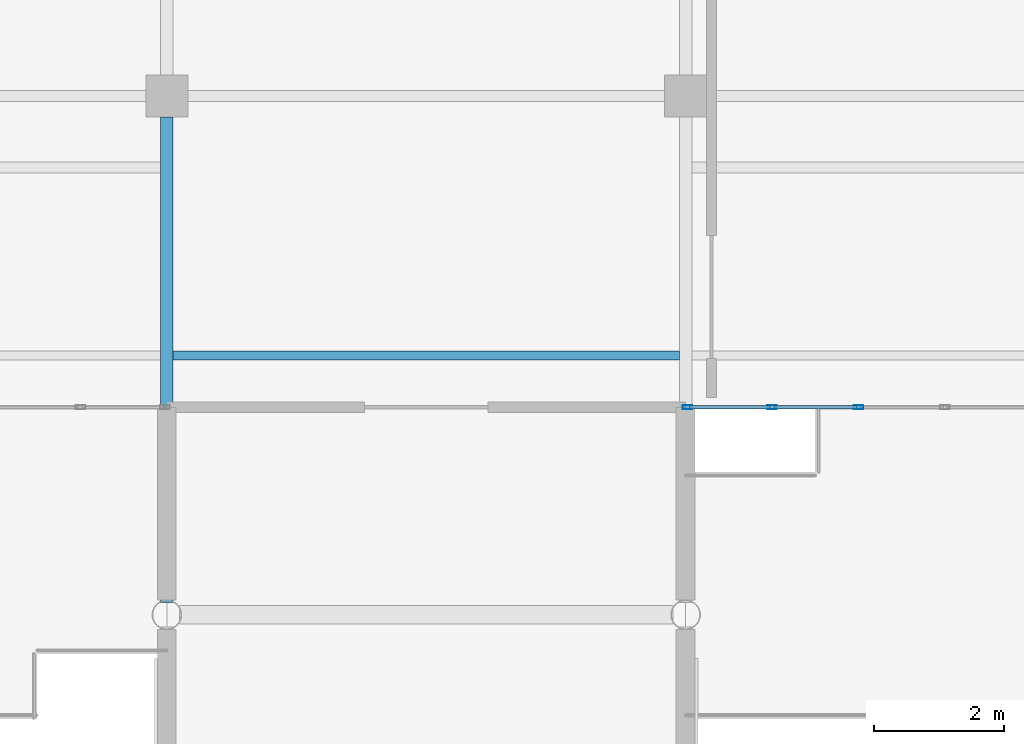
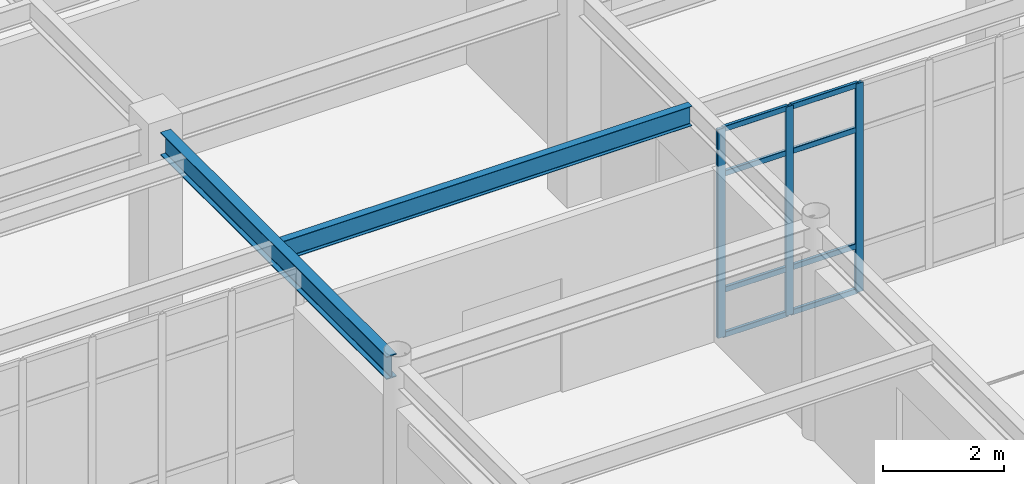
# One storey, part 42 of 75: 11 members, 2 beams, 1 element without a shape of its own.
"""IFC4 building model written with IfcOpenShell, lengths in metres."""

import ifcopenshell
import ifcopenshell.guid

model = None  # the IFC model being written
_history = None  # IfcOwnerHistory: only IFC2X3 demands one
_inside = {}  # id of a spatial element -> (the spatial element, [elements in it])
_under = {}  # id of a project, library or spatial element -> (it, [spatial elements below it])
_declared = {}  # id of a project -> (the project, [libraries it declares])
_typed = {}  # id of a type object -> (the type object, [elements of that type])
_made_of = {}  # id of a material, layer set ... -> (it, [elements and type objects made of it])


def new_model(schema):
    """Start an empty IFC model of exactly this schema.

    Asked for "IFC4X3", IfcOpenShell would pick the latest addendum, in which some entities
    have other attributes; the version numbers below select the first issue.
    IFC2X3 requires an IfcOwnerHistory on every rooted entity: one is made here for all.
    """
    global model, _history
    if schema == "IFC4X3":
        model = ifcopenshell.file(schema_version=(4, 3, 0, 0))
    else:
        model = ifcopenshell.file(schema=schema)
    _inside.clear()
    _under.clear()
    _declared.clear()
    _typed.clear()
    _made_of.clear()
    _history = None
    if model.schema == "IFC2X3":
        org = make("IfcOrganization", Name="unknown")
        user = make(
            "IfcPersonAndOrganization",
            ThePerson=make("IfcPerson", FamilyName="unknown"),
            TheOrganization=org,
        )
        app = make(
            "IfcApplication",
            ApplicationDeveloper=org,
            Version="unknown",
            ApplicationFullName="unknown",
            ApplicationIdentifier="unknown",
        )
        _history = make(
            "IfcOwnerHistory",
            OwningUser=user,
            OwningApplication=app,
            ChangeAction="ADDED",
            CreationDate=0,
        )
    return model


def make(cls, **values):
    """One entity of the class cls with the attributes given. An attribute that is None is left unset."""
    return model.create_entity(
        cls, **{name: value for name, value in values.items() if value is not None}
    )


def rooted(cls, **values):
    """An entity with a GlobalId (a new one), such as an element, a storey or a relation."""
    return make(cls, GlobalId=ifcopenshell.guid.new(), OwnerHistory=_history, **values)


def si_unit(unit_type, name, prefix=None):
    """IfcSIUnit, for example si_unit("LENGTHUNIT", "METRE", prefix="MILLI")."""
    return make("IfcSIUnit", UnitType=unit_type, Prefix=prefix, Name=name)


def assignment(units):
    """IfcUnitAssignment: the units of a project."""
    return None if units is None else make("IfcUnitAssignment", Units=units)


def point(xyz):
    """IfcCartesianPoint."""
    return None if xyz is None else make("IfcCartesianPoint", Coordinates=xyz)


def direction(xyz):
    """IfcDirection."""
    return None if xyz is None else make("IfcDirection", DirectionRatios=xyz)


def frame(location, z_axis=None, x_axis=None):
    """IfcAxis2Placement3D, a coordinate frame: its origin and axes. An axis left out is left unset."""
    return make(
        "IfcAxis2Placement3D",
        Location=point(location),
        Axis=direction(z_axis),
        RefDirection=direction(x_axis),
    )


def frame_2d(location, x_axis=None):
    """IfcAxis2Placement2D, a coordinate frame in the plane: its origin and x axis."""
    return make(
        "IfcAxis2Placement2D", Location=point(location), RefDirection=direction(x_axis)
    )


def origin():
    """The frame at (0, 0, 0) with its axes left unset."""
    return frame((0.0, 0.0, 0.0))


def origin_2d():
    """The frame at (0, 0) in the plane with its x axis left unset."""
    return frame_2d((0.0, 0.0))


def place(relative_to, where):
    """IfcLocalPlacement: puts the frame where relative to a parent placement (None: the world)."""
    return make(
        "IfcLocalPlacement", PlacementRelTo=relative_to, RelativePlacement=where
    )


def context(
    kind, dimensions, precision=None, world=None, true_north=None, identifier=None
):
    """IfcGeometricRepresentationContext, for example the 3D "Model" context."""
    return make(
        "IfcGeometricRepresentationContext",
        ContextIdentifier=identifier,
        ContextType=kind,
        CoordinateSpaceDimension=dimensions,
        Precision=precision,
        WorldCoordinateSystem=world,
        TrueNorth=true_north,
    )


def subcontext(parent, identifier, kind, view, scale=None):
    """IfcGeometricRepresentationSubContext, for example "Body" below "Model"."""
    return make(
        "IfcGeometricRepresentationSubContext",
        ContextIdentifier=identifier,
        ContextType=kind,
        ParentContext=parent,
        TargetScale=scale,
        TargetView=view,
    )


def project(units=None, contexts=None):
    """IfcProject with its units and contexts."""
    return rooted(
        "IfcProject",
        Name="project",
        RepresentationContexts=contexts,
        UnitsInContext=assignment(units),
    )


def spatial(cls, under=None, at=None, **own):
    """A site, building, storey or space (cls), placed at a placement, below another one or the project."""
    s = rooted(cls, ObjectPlacement=at, **own)
    if under is not None:
        _under.setdefault(under.id(), (under, []))[1].append(s)
    return s


def profile(cls, at=None, kind="AREA", **sizes):
    """A parametric profile (cls). Its sizes go by their IFC names, for example OverallWidth=200.0."""
    return make(cls, ProfileType=kind, Position=at, **sizes)


def hollow_rectangle(**sizes):
    """IfcRectangleHollowProfileDef."""
    return profile("IfcRectangleHollowProfileDef", **sizes)


def i_section(**sizes):
    """IfcIShapeProfileDef."""
    return profile("IfcIShapeProfileDef", **sizes)


def extrude(swept, where, along, depth):
    """IfcExtrudedAreaSolid: the profile swept, set in the frame where, extruded along a direction by depth."""
    return make(
        "IfcExtrudedAreaSolid",
        SweptArea=swept,
        Position=where,
        ExtrudedDirection=direction(along),
        Depth=depth,
    )


def shape(context_of_items, identifier, shape_type, items):
    """IfcShapeRepresentation: the items that make up one representation, for example the "Body"."""
    return make(
        "IfcShapeRepresentation",
        ContextOfItems=context_of_items,
        RepresentationIdentifier=identifier,
        RepresentationType=shape_type,
        Items=items,
    )


def material(Name=None, Category=None):
    """IfcMaterial."""
    return make("IfcMaterial", Name=Name, Category=Category)


def material_profile(
    of_material, cross_section, Name=None, Category=None, Priority=None
):
    """IfcMaterialProfile: a cross section and its material."""
    return make(
        "IfcMaterialProfile",
        Name=Name,
        Material=of_material,
        Profile=cross_section,
        Priority=Priority,
        Category=Category,
    )


def profile_set(profiles, Name=None, composite=None):
    """IfcMaterialProfileSet."""
    return make(
        "IfcMaterialProfileSet",
        Name=Name,
        MaterialProfiles=profiles,
        CompositeProfile=composite,
    )


def made_of(thing, what):
    """Note that an element or type object is made of a material, layer set ...; save() writes the relation."""
    if what is not None:
        _made_of.setdefault(what.id(), (what, []))[1].append(thing)
    return thing


def type_object(cls, material=None, **own):
    """A type object (cls), such as IfcWallType, which elements share."""
    return made_of(rooted(cls, **own), material)


def element(
    cls,
    number,
    at=None,
    inside=None,
    cuts=None,
    type_object=None,
    material=None,
    context=None,
    identifier="Body",
    shape_type=None,
    held_by="IfcProductDefinitionShape",
    body=None,
    shapes=None,
    **own,
):
    """One element of the class cls, such as IfcWall. Its Tag is "e" and its number.

    at: its placement. inside: the storey or other place that contains it. cuts: it is an
    opening in that element (IfcRelVoidsElement). A single representation is given by context,
    identifier, shape_type and body (its items); several are given by shapes. held_by: the class
    of the entity that holds the representations. save() writes the other relations.
    """
    e = rooted(cls, Tag="e%d" % number, ObjectPlacement=at, **own)
    if body is not None:
        shapes = [shape(context, identifier, shape_type, body)]
    if shapes is not None:
        e.Representation = make(held_by, Representations=shapes)
    if inside is not None:
        _inside.setdefault(inside.id(), (inside, []))[1].append(e)
    if cuts is not None:
        rooted(
            "IfcRelVoidsElement", RelatingBuildingElement=cuts, RelatedOpeningElement=e
        )
    if type_object is not None:
        _typed.setdefault(type_object.id(), (type_object, []))[1].append(e)
    return made_of(e, material)


def aggregate(whole, parts):
    """IfcRelAggregates: a whole, such as a stair, and the parts it consists of."""
    return rooted("IfcRelAggregates", RelatingObject=whole, RelatedObjects=parts)


def save(model, path):
    """Write the relations noted so far, then the file.

    IfcRelAggregates (storeys below a building ...), IfcRelContainedInSpatialStructure (elements
    in a storey), IfcRelDefinesByType, IfcRelAssociatesMaterial and IfcRelDeclares: one each for
    every whole, place, type object, material and project.
    """
    for whole, parts in _under.values():
        aggregate(whole, parts)
    for where, things in _inside.values():
        rooted(
            "IfcRelContainedInSpatialStructure",
            RelatedElements=things,
            RelatingStructure=where,
        )
    for kind, things in _typed.values():
        rooted("IfcRelDefinesByType", RelatedObjects=things, RelatingType=kind)
    for what, things in _made_of.values():
        rooted("IfcRelAssociatesMaterial", RelatedObjects=things, RelatingMaterial=what)
    for by, libraries in _declared.values():
        rooted("IfcRelDeclares", RelatingContext=by, RelatedDefinitions=libraries)
    model.write(path)


model = new_model("IFC4")

# Units and contexts
model_context = context("Model", 3, precision=1e-05, world=origin(), true_north=direction((0.0, 1.0)))
body_context = subcontext(model_context, "Body", "Model", "MODEL_VIEW")
ifc_project = project(units=[si_unit("LENGTHUNIT", "METRE"), si_unit("AREAUNIT", "SQUARE_METRE"), si_unit("VOLUMEUNIT", "CUBIC_METRE"), si_unit("PLANEANGLEUNIT", "RADIAN"), si_unit("MASSUNIT", "GRAM", prefix="KILO")], contexts=[model_context])

# Site, building, storey
site_placement = place(None, origin())
site = spatial("IfcSite", under=ifc_project, at=site_placement, CompositionType="ELEMENT")
building_placement = place(site_placement, origin())
building = spatial("IfcBuilding", under=site, at=building_placement, Name="Solmirada Galleria", CompositionType="ELEMENT")
storey_placement = place(building_placement, frame((0.0, 0.0, 19.39990234375)))
storey = spatial("IfcBuildingStorey", under=building, at=storey_placement, Name="L04", CompositionType="ELEMENT", Elevation=19.39990234375)

# Beams
ifc_material_1 = material(Name="Steel S355 / ASTM A992 Grade 50", Category="steel")
ifc_material_profile_1 = material_profile(ifc_material_1, i_section(OverallWidth=0.193115234375, OverallDepth=0.466064453125, WebThickness=0.011474609375, FlangeThickness=0.01904296875, FilletRadius=0.013916015625, at=origin_2d()), Name="W18X65")
ifc_profile_set_1 = profile_set([ifc_material_profile_1], Name="Steel S355 / ASTM A992 Grade 50")
beam_type_1 = type_object("IfcBeamType", Name="BM-GIRD-W18C", PredefinedType="BEAM", material=ifc_profile_set_1)
beam_1_placement = place(storey_placement, frame((88.0, 88.19189453125, 4.027099609375), z_axis=(0.0, 1.0, 0.0), x_axis=(-1.0, 0.0, 0.0)))
element("IfcBeam", 1, at=beam_1_placement, inside=storey, type_object=beam_type_1, Name="Primary girder L05 Y(88, 88..96)", PredefinedType="BEAM", context=body_context, shape_type="SweptSolid", body=[
    extrude(i_section(OverallWidth=0.193115234375, OverallDepth=0.466064453125, WebThickness=0.011474609375, FlangeThickness=0.01904296875, FilletRadius=0.013916015625, at=origin_2d()), origin(), (0.0, 0.0, 1.0), 7.483154296875),
])
ifc_material_profile_2 = material_profile(ifc_material_1, i_section(OverallWidth=0.139892578125, OverallDepth=0.39892578125, WebThickness=0.00634765625, FlangeThickness=0.0087890625, FilletRadius=0.010986328125, at=origin_2d()), Name="W16X26")
ifc_profile_set_2 = profile_set([ifc_material_profile_2], Name="Steel S355 / ASTM A992 Grade 50")
beam_type_2 = type_object("IfcBeamType", Name="BM-JST-W16C", PredefinedType="JOIST", material=ifc_profile_set_2)
beam_2_placement = place(storey_placement, frame((88.096435546875, 92.0, 4.060546875), z_axis=(1.0, 0.0, 0.0), x_axis=(0.0, 1.0, 0.0)))
element("IfcBeam", 2, at=beam_2_placement, inside=storey, type_object=beam_type_2, Name="Composite floor joist L05 (88..96, 92.0)", PredefinedType="JOIST", context=body_context, shape_type="SweptSolid", body=[
    extrude(i_section(OverallWidth=0.139892578125, OverallDepth=0.39892578125, WebThickness=0.00634765625, FlangeThickness=0.0087890625, FilletRadius=0.010986328125, at=origin_2d()), origin(), (0.0, 0.0, 1.0), 7.80712890625),
])

# Curtain wall, members
ifc_material_2 = material(Name="Impact-resistant low-E double glazing", Category="glass")
curtain_wall_type = type_object("IfcCurtainWallType", Name="CW-FZ4-L04-B6-L080", PredefinedType="NOTDEFINED", material=ifc_material_2)
curtain_wall_placement = place(storey_placement, origin())
curtain_wall = element("IfcCurtainWall", 3, at=curtain_wall_placement, inside=storey, type_object=curtain_wall_type, Name="Terrace and arcade storefront CW-L04-151", PredefinedType="NOTDEFINED")
ifc_material_3 = material(Name="Anodised aluminium framing", Category="aluminium")
ifc_material_profile_3 = material_profile(ifc_material_3, hollow_rectangle(XDim=0.06005859375, YDim=0.14990234375, WallThickness=0.00341796875, InnerFilletRadius=0.00341796875, OuterFilletRadius=0.007080078125, at=origin_2d()), Name="ALU-MULL-150X60")
ifc_profile_set_3 = profile_set([ifc_material_profile_3], Name="Anodised aluminium framing")
member_type_1 = type_object("IfcMemberType", Name="CW-MULL-150", PredefinedType="MULLION", material=ifc_profile_set_3)
member_1_placement = place(storey_placement, frame((98.666748046875, 91.199951171875, 0.0), z_axis=(0.0, 0.0, 1.0), x_axis=(0.0, -1.0, 0.0)))
member_1 = element("IfcMember", 4, at=member_1_placement, type_object=member_type_1, Name="CW31 mullion 5", PredefinedType="MULLION", context=body_context, shape_type="SweptSolid", body=[
    extrude(hollow_rectangle(XDim=0.06005859375, YDim=0.14990234375, WallThickness=0.00341796875, InnerFilletRadius=0.00341796875, OuterFilletRadius=0.007080078125, at=origin_2d()), origin(), (0.0, 0.0, 1.0), 4.22021484375),
])
member_2_placement = place(storey_placement, frame((97.333251953125, 91.199951171875, 0.0), z_axis=(0.0, 0.0, 1.0), x_axis=(0.0, -1.0, 0.0)))
member_2 = element("IfcMember", 5, at=member_2_placement, type_object=member_type_1, Name="CW31 mullion 6", PredefinedType="MULLION", context=body_context, shape_type="SweptSolid", body=[
    extrude(hollow_rectangle(XDim=0.06005859375, YDim=0.14990234375, WallThickness=0.00341796875, InnerFilletRadius=0.00341796875, OuterFilletRadius=0.007080078125, at=origin_2d()), origin(), (0.0, 0.0, 1.0), 4.22021484375),
])
member_3_placement = place(storey_placement, frame((96.030029296875, 91.199951171875, 0.0), z_axis=(0.0, 0.0, 1.0), x_axis=(0.0, -1.0, 0.0)))
member_3 = element("IfcMember", 6, at=member_3_placement, type_object=member_type_1, Name="CW31 mullion 7", PredefinedType="MULLION", context=body_context, shape_type="SweptSolid", body=[
    extrude(hollow_rectangle(XDim=0.06005859375, YDim=0.14990234375, WallThickness=0.00341796875, InnerFilletRadius=0.00341796875, OuterFilletRadius=0.007080078125, at=origin_2d()), origin(), (0.0, 0.0, 1.0), 4.22021484375),
])
ifc_material_profile_4 = material_profile(ifc_material_3, hollow_rectangle(XDim=0.06005859375, YDim=0.110107421875, WallThickness=0.003173828125, InnerFilletRadius=0.003173828125, OuterFilletRadius=0.00634765625, at=origin_2d()), Name="ALU-TRAN-110X60")
ifc_profile_set_4 = profile_set([ifc_material_profile_4], Name="Anodised aluminium framing")
member_type_2 = type_object("IfcMemberType", Name="CW-TRAN-110", PredefinedType="USERDEFINED", material=ifc_profile_set_4)
member_4_placement = place(storey_placement, frame((98.63671875, 91.199951171875, 0.030029296875), z_axis=(-1.0, 0.0, 0.0), x_axis=(0.0, -1.0, 0.0)))
member_4 = element("IfcMember", 7, at=member_4_placement, type_object=member_type_2, Name="CW31 transom 5.1", ObjectType="TRANSOM", PredefinedType="USERDEFINED", context=body_context, shape_type="SweptSolid", body=[
    extrude(hollow_rectangle(XDim=0.06005859375, YDim=0.110107421875, WallThickness=0.003173828125, InnerFilletRadius=0.003173828125, OuterFilletRadius=0.00634765625, at=origin_2d()), origin(), (0.0, 0.0, 1.0), 1.2734375),
])
member_5_placement = place(storey_placement, frame((98.63671875, 91.199951171875, 0.940185546875), z_axis=(-1.0, 0.0, 0.0), x_axis=(0.0, -1.0, 0.0)))
member_5 = element("IfcMember", 8, at=member_5_placement, type_object=member_type_2, Name="CW31 transom 5.2", ObjectType="TRANSOM", PredefinedType="USERDEFINED", context=body_context, shape_type="SweptSolid", body=[
    extrude(hollow_rectangle(XDim=0.06005859375, YDim=0.110107421875, WallThickness=0.003173828125, InnerFilletRadius=0.003173828125, OuterFilletRadius=0.00634765625, at=origin_2d()), origin(), (0.0, 0.0, 1.0), 1.2734375),
])
member_6_placement = place(storey_placement, frame((98.63671875, 91.199951171875, 3.2900390625), z_axis=(-1.0, 0.0, 0.0), x_axis=(0.0, -1.0, 0.0)))
member_6 = element("IfcMember", 9, at=member_6_placement, type_object=member_type_2, Name="CW31 transom 5.3", ObjectType="TRANSOM", PredefinedType="USERDEFINED", context=body_context, shape_type="SweptSolid", body=[
    extrude(hollow_rectangle(XDim=0.06005859375, YDim=0.110107421875, WallThickness=0.003173828125, InnerFilletRadius=0.003173828125, OuterFilletRadius=0.00634765625, at=origin_2d()), origin(), (0.0, 0.0, 1.0), 1.2734375),
])
member_7_placement = place(storey_placement, frame((98.63671875, 91.199951171875, 4.190185546875), z_axis=(-1.0, 0.0, 0.0), x_axis=(0.0, -1.0, 0.0)))
member_7 = element("IfcMember", 10, at=member_7_placement, type_object=member_type_2, Name="CW31 transom 5.4", ObjectType="TRANSOM", PredefinedType="USERDEFINED", context=body_context, shape_type="SweptSolid", body=[
    extrude(hollow_rectangle(XDim=0.06005859375, YDim=0.110107421875, WallThickness=0.003173828125, InnerFilletRadius=0.003173828125, OuterFilletRadius=0.00634765625, at=origin_2d()), origin(), (0.0, 0.0, 1.0), 1.2734375),
])
member_8_placement = place(storey_placement, frame((97.30322265625, 91.199951171875, 0.030029296875), z_axis=(-1.0, 0.0, 0.0), x_axis=(0.0, -1.0, 0.0)))
member_8 = element("IfcMember", 11, at=member_8_placement, type_object=member_type_2, Name="CW31 transom 6.1", ObjectType="TRANSOM", PredefinedType="USERDEFINED", context=body_context, shape_type="SweptSolid", body=[
    extrude(hollow_rectangle(XDim=0.06005859375, YDim=0.110107421875, WallThickness=0.003173828125, InnerFilletRadius=0.003173828125, OuterFilletRadius=0.00634765625, at=origin_2d()), origin(), (0.0, 0.0, 1.0), 1.2431640625),
])
member_9_placement = place(storey_placement, frame((97.30322265625, 91.199951171875, 0.940185546875), z_axis=(-1.0, 0.0, 0.0), x_axis=(0.0, -1.0, 0.0)))
member_9 = element("IfcMember", 12, at=member_9_placement, type_object=member_type_2, Name="CW31 transom 6.2", ObjectType="TRANSOM", PredefinedType="USERDEFINED", context=body_context, shape_type="SweptSolid", body=[
    extrude(hollow_rectangle(XDim=0.06005859375, YDim=0.110107421875, WallThickness=0.003173828125, InnerFilletRadius=0.003173828125, OuterFilletRadius=0.00634765625, at=origin_2d()), origin(), (0.0, 0.0, 1.0), 1.2431640625),
])
member_10_placement = place(storey_placement, frame((97.30322265625, 91.199951171875, 3.2900390625), z_axis=(-1.0, 0.0, 0.0), x_axis=(0.0, -1.0, 0.0)))
member_10 = element("IfcMember", 13, at=member_10_placement, type_object=member_type_2, Name="CW31 transom 6.3", ObjectType="TRANSOM", PredefinedType="USERDEFINED", context=body_context, shape_type="SweptSolid", body=[
    extrude(hollow_rectangle(XDim=0.06005859375, YDim=0.110107421875, WallThickness=0.003173828125, InnerFilletRadius=0.003173828125, OuterFilletRadius=0.00634765625, at=origin_2d()), origin(), (0.0, 0.0, 1.0), 1.2431640625),
])
member_11_placement = place(storey_placement, frame((97.30322265625, 91.199951171875, 4.190185546875), z_axis=(-1.0, 0.0, 0.0), x_axis=(0.0, -1.0, 0.0)))
member_11 = element("IfcMember", 14, at=member_11_placement, type_object=member_type_2, Name="CW31 transom 6.4", ObjectType="TRANSOM", PredefinedType="USERDEFINED", context=body_context, shape_type="SweptSolid", body=[
    extrude(hollow_rectangle(XDim=0.06005859375, YDim=0.110107421875, WallThickness=0.003173828125, InnerFilletRadius=0.003173828125, OuterFilletRadius=0.00634765625, at=origin_2d()), origin(), (0.0, 0.0, 1.0), 1.2431640625),
])
aggregate(curtain_wall, [member_1, member_2, member_3, member_4, member_5, member_6, member_7, member_8, member_9, member_10, member_11])

save(model, "model.ifc")
